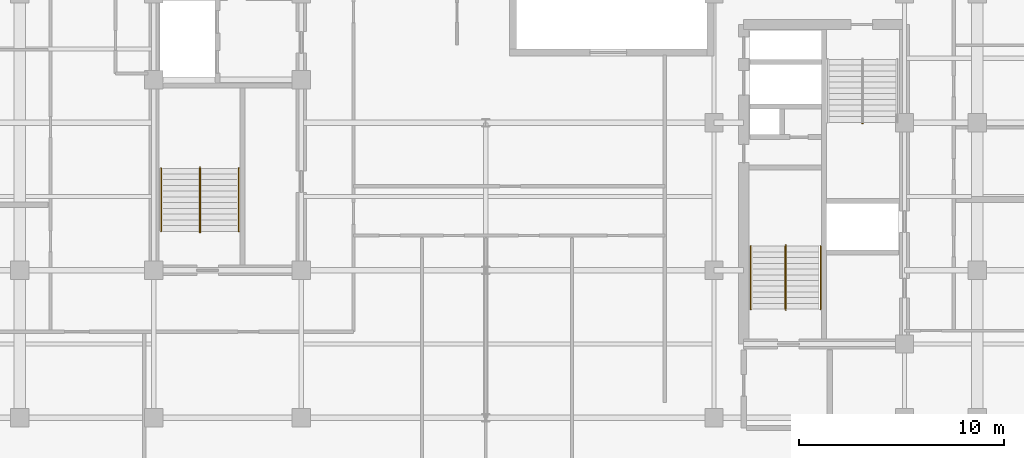
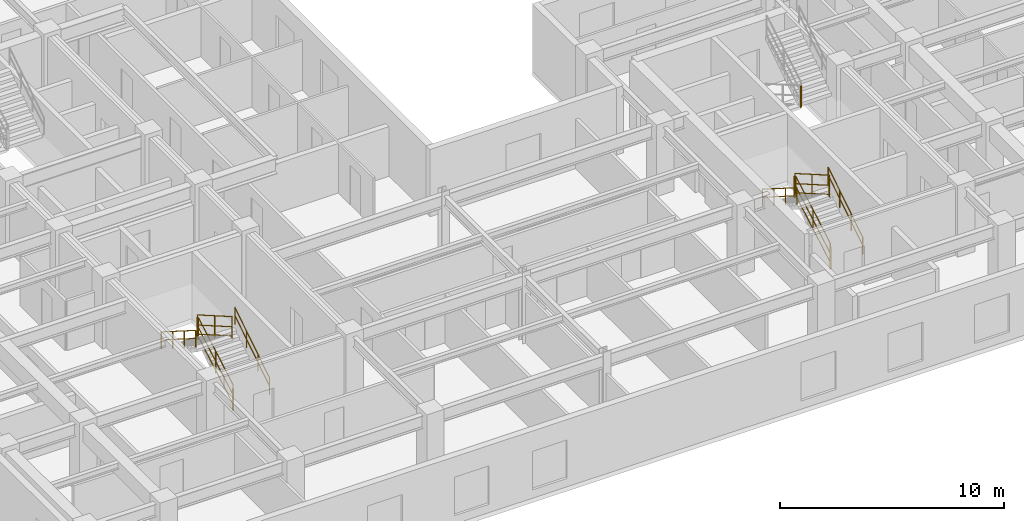
# One storey, part 9 of 11: 13 railings.
"""IFC4 building model written with IfcOpenShell, lengths in metres."""

from ifc_helpers import new_model, entity, si_unit, converted_unit, direction, frame, origin_with_axes, origin_2d_with_axis, place, context, subcontext, project, spatial, rectangle, circle, extrude, material, type_object, element, save


model = new_model("IFC4")

# Units and contexts
model_context = context("Model", 3, precision=1e-05, world=origin_with_axes(), true_north=direction((0.0, 1.0)))
body_context = subcontext(model_context, "Body", "Model", "MODEL_VIEW")
ifc_project = project(units=[si_unit("LENGTHUNIT", "METRE"), si_unit("AREAUNIT", "SQUARE_METRE"), si_unit("VOLUMEUNIT", "CUBIC_METRE"), converted_unit("PLANEANGLEUNIT", "DEGREE", entity("IfcPlaneAngleMeasure", 0.017453292519943295), si_unit("PLANEANGLEUNIT", "RADIAN"), dimensions=[0, 0, 0, 0, 0, 0, 0]), si_unit("MASSUNIT", "GRAM", prefix="KILO"), si_unit("THERMODYNAMICTEMPERATUREUNIT", "KELVIN")], contexts=[model_context])

# Site, building, storey
site_placement = place(None, origin_with_axes())
site = spatial("IfcSite", under=ifc_project, at=site_placement, CompositionType="ELEMENT")
building_placement = place(site_placement, origin_with_axes())
building = spatial("IfcBuilding", under=site, at=building_placement, Name="Varnlund Millrace Tower", CompositionType="ELEMENT")
storey_placement = place(building_placement, frame((0.0, 0.0, 200.4), z_axis=(0.0, 0.0, 1.0), x_axis=(1.0, 0.0, 0.0)))
storey = spatial("IfcBuildingStorey", under=building, at=storey_placement, Name="L49", CompositionType="ELEMENT", Elevation=200.4)

# Railings
ifc_material_1 = material(Name="Painted steel stair well balustrade guard", Category="steel")
railing_type_1 = type_object("IfcRailingType", Name="Type-StairGuard-1150", PredefinedType="GUARDRAIL", material=ifc_material_1)
railing_1_placement = place(storey_placement, frame((0.0, 0.0, -200.4), z_axis=(0.0, 0.0, 1.0), x_axis=(1.0, 0.0, 0.0)))
element("IfcRailing", 1, at=railing_1_placement, inside=storey, type_object=railing_type_1, Name="Type-StairGuard-1150", PredefinedType="GUARDRAIL", context=body_context, shape_type="SweptSolid", body=[
    extrude(circle(Radius=0.024, at=origin_2d_with_axis()), frame((13.675, 12.7, 201.727273), z_axis=(0.0, 0.866696, 0.498836), x_axis=(-1.0, 0.0, 0.0)), (0.0, 0.0, 1.0), 3.553725),
    extrude(circle(Radius=0.024, at=origin_2d_with_axis()), frame((13.675, 12.7, 200.677273), z_axis=(0.0, 0.866696, 0.498836), x_axis=(-1.0, 0.0, 0.0)), (0.0, 0.0, 1.0), 3.553725),
    extrude(circle(Radius=0.024, at=origin_2d_with_axis()), frame((13.675, 12.7, 201.175273), z_axis=(0.0, 0.866696, 0.498836), x_axis=(-1.0, 0.0, 0.0)), (0.0, 0.0, 1.0), 3.553725),
    extrude(rectangle(XDim=0.04, YDim=0.04, at=origin_2d_with_axis()), frame((13.675, 12.7, 200.537273), z_axis=(0.0, 0.0, 1.0), x_axis=(1.0, 0.0, 0.0)), (0.0, 0.0, 1.0), 1.19),
    extrude(rectangle(XDim=0.04, YDim=0.04, at=origin_2d_with_axis()), frame((13.675, 14.24, 201.423637), z_axis=(0.0, 0.0, 1.0), x_axis=(1.0, 0.0, 0.0)), (0.0, 0.0, 1.0), 1.19),
    extrude(rectangle(XDim=0.04, YDim=0.04, at=origin_2d_with_axis()), frame((13.675, 15.78, 202.31), z_axis=(0.0, 0.0, 1.0), x_axis=(1.0, 0.0, 0.0)), (0.0, 0.0, 1.0), 1.19),
])
railing_2_placement = place(storey_placement, frame((0.0, 0.0, -200.4), z_axis=(0.0, 0.0, 1.0), x_axis=(1.0, 0.0, 0.0)))
element("IfcRailing", 2, at=railing_2_placement, inside=storey, type_object=railing_type_1, Name="Type-StairGuard-1150", PredefinedType="GUARDRAIL", context=body_context, shape_type="SweptSolid", body=[
    extrude(circle(Radius=0.024, at=origin_2d_with_axis()), frame((13.625, 15.83, 203.5), z_axis=(1.0, 0.0, 0.0), x_axis=(0.0, 1.0, 0.0)), (0.0, 0.0, 1.0), 0.05),
    extrude(circle(Radius=0.024, at=origin_2d_with_axis()), frame((13.625, 15.83, 202.45), z_axis=(1.0, 0.0, 0.0), x_axis=(0.0, 1.0, 0.0)), (0.0, 0.0, 1.0), 0.05),
    extrude(circle(Radius=0.024, at=origin_2d_with_axis()), frame((13.625, 15.83, 202.948), z_axis=(1.0, 0.0, 0.0), x_axis=(0.0, 1.0, 0.0)), (0.0, 0.0, 1.0), 0.05),
    extrude(rectangle(XDim=0.04, YDim=0.04, at=origin_2d_with_axis()), frame((13.625, 15.83, 202.31), z_axis=(0.0, 0.0, 1.0), x_axis=(1.0, 0.0, 0.0)), (0.0, 0.0, 1.0), 1.19),
    extrude(rectangle(XDim=0.04, YDim=0.04, at=origin_2d_with_axis()), frame((13.675, 15.83, 202.31), z_axis=(0.0, 0.0, 1.0), x_axis=(1.0, 0.0, 0.0)), (0.0, 0.0, 1.0), 1.19),
])
railing_3_placement = place(storey_placement, frame((0.0, 0.0, -200.4), z_axis=(0.0, 0.0, 1.0), x_axis=(1.0, 0.0, 0.0)))
element("IfcRailing", 3, at=railing_3_placement, inside=storey, type_object=railing_type_1, Name="Type-StairGuard-1150", PredefinedType="GUARDRAIL", context=body_context, shape_type="SweptSolid", body=[
    extrude(circle(Radius=0.024, at=origin_2d_with_axis()), frame((13.625, 15.78, 203.677273), z_axis=(0.0, -0.866696, 0.498836), x_axis=(1.0, 0.0, 0.0)), (0.0, 0.0, 1.0), 3.553725),
    extrude(circle(Radius=0.024, at=origin_2d_with_axis()), frame((13.625, 15.78, 202.627273), z_axis=(0.0, -0.866696, 0.498836), x_axis=(1.0, 0.0, 0.0)), (0.0, 0.0, 1.0), 3.553725),
    extrude(circle(Radius=0.024, at=origin_2d_with_axis()), frame((13.625, 15.78, 203.125273), z_axis=(0.0, -0.866696, 0.498836), x_axis=(1.0, 0.0, 0.0)), (0.0, 0.0, 1.0), 3.553725),
    extrude(rectangle(XDim=0.04, YDim=0.04, at=origin_2d_with_axis()), frame((13.625, 15.78, 202.487273), z_axis=(0.0, 0.0, 1.0), x_axis=(1.0, 0.0, 0.0)), (0.0, 0.0, 1.0), 1.19),
    extrude(rectangle(XDim=0.04, YDim=0.04, at=origin_2d_with_axis()), frame((13.625, 14.24, 203.373636), z_axis=(0.0, 0.0, 1.0), x_axis=(1.0, 0.0, 0.0)), (0.0, 0.0, 1.0), 1.19),
    extrude(rectangle(XDim=0.04, YDim=0.04, at=origin_2d_with_axis()), frame((13.625, 12.7, 204.26), z_axis=(0.0, 0.0, 1.0), x_axis=(1.0, 0.0, 0.0)), (0.0, 0.0, 1.0), 1.19),
])
railing_4_placement = place(storey_placement, frame((0.0, 0.0, -200.4), z_axis=(0.0, 0.0, 1.0), x_axis=(1.0, 0.0, 0.0)))
element("IfcRailing", 4, at=railing_4_placement, inside=storey, type_object=railing_type_1, Name="Type-StairGuard-1150", PredefinedType="GUARDRAIL", context=body_context, shape_type="SweptSolid", body=[
    extrude(circle(Radius=0.024, at=origin_2d_with_axis()), frame((13.625, 12.65, 201.55), z_axis=(1.0, 0.0, 0.0), x_axis=(0.0, 1.0, 0.0)), (0.0, 0.0, 1.0), 0.05),
    extrude(circle(Radius=0.024, at=origin_2d_with_axis()), frame((13.625, 12.65, 200.5), z_axis=(1.0, 0.0, 0.0), x_axis=(0.0, 1.0, 0.0)), (0.0, 0.0, 1.0), 0.05),
    extrude(circle(Radius=0.024, at=origin_2d_with_axis()), frame((13.625, 12.65, 200.998), z_axis=(1.0, 0.0, 0.0), x_axis=(0.0, 1.0, 0.0)), (0.0, 0.0, 1.0), 0.05),
    extrude(rectangle(XDim=0.04, YDim=0.04, at=origin_2d_with_axis()), frame((13.625, 12.65, 200.36), z_axis=(0.0, 0.0, 1.0), x_axis=(1.0, 0.0, 0.0)), (0.0, 0.0, 1.0), 1.19),
    extrude(rectangle(XDim=0.04, YDim=0.04, at=origin_2d_with_axis()), frame((13.675, 12.65, 200.36), z_axis=(0.0, 0.0, 1.0), x_axis=(1.0, 0.0, 0.0)), (0.0, 0.0, 1.0), 1.19),
])
railing_5_placement = place(storey_placement, frame((0.0, 0.0, -200.4), z_axis=(0.0, 0.0, 1.0), x_axis=(1.0, 0.0, 0.0)))
element("IfcRailing", 5, at=railing_5_placement, inside=storey, type_object=railing_type_1, Name="Type-StairGuard-1150", PredefinedType="GUARDRAIL", context=body_context, shape_type="SweptSolid", body=[
    extrude(circle(Radius=0.024, at=origin_2d_with_axis()), frame((42.275, 8.9, 201.727273), z_axis=(0.0, 0.866696, 0.498836), x_axis=(-1.0, 0.0, 0.0)), (0.0, 0.0, 1.0), 3.553725),
    extrude(circle(Radius=0.024, at=origin_2d_with_axis()), frame((42.275, 8.9, 200.677273), z_axis=(0.0, 0.866696, 0.498836), x_axis=(-1.0, 0.0, 0.0)), (0.0, 0.0, 1.0), 3.553725),
    extrude(circle(Radius=0.024, at=origin_2d_with_axis()), frame((42.275, 8.9, 201.175273), z_axis=(0.0, 0.866696, 0.498836), x_axis=(-1.0, 0.0, 0.0)), (0.0, 0.0, 1.0), 3.553725),
    extrude(rectangle(XDim=0.04, YDim=0.04, at=origin_2d_with_axis()), frame((42.275, 8.9, 200.537273), z_axis=(0.0, 0.0, 1.0), x_axis=(1.0, 0.0, 0.0)), (0.0, 0.0, 1.0), 1.19),
    extrude(rectangle(XDim=0.04, YDim=0.04, at=origin_2d_with_axis()), frame((42.275, 10.44, 201.423637), z_axis=(0.0, 0.0, 1.0), x_axis=(1.0, 0.0, 0.0)), (0.0, 0.0, 1.0), 1.19),
    extrude(rectangle(XDim=0.04, YDim=0.04, at=origin_2d_with_axis()), frame((42.275, 11.98, 202.31), z_axis=(0.0, 0.0, 1.0), x_axis=(1.0, 0.0, 0.0)), (0.0, 0.0, 1.0), 1.19),
])
railing_6_placement = place(storey_placement, frame((0.0, 0.0, -200.4), z_axis=(0.0, 0.0, 1.0), x_axis=(1.0, 0.0, 0.0)))
element("IfcRailing", 6, at=railing_6_placement, inside=storey, type_object=railing_type_1, Name="Type-StairGuard-1150", PredefinedType="GUARDRAIL", context=body_context, shape_type="SweptSolid", body=[
    extrude(circle(Radius=0.024, at=origin_2d_with_axis()), frame((42.225, 12.03, 203.5), z_axis=(1.0, 0.0, 0.0), x_axis=(0.0, 1.0, 0.0)), (0.0, 0.0, 1.0), 0.05),
    extrude(circle(Radius=0.024, at=origin_2d_with_axis()), frame((42.225, 12.03, 202.45), z_axis=(1.0, 0.0, 0.0), x_axis=(0.0, 1.0, 0.0)), (0.0, 0.0, 1.0), 0.05),
    extrude(circle(Radius=0.024, at=origin_2d_with_axis()), frame((42.225, 12.03, 202.948), z_axis=(1.0, 0.0, 0.0), x_axis=(0.0, 1.0, 0.0)), (0.0, 0.0, 1.0), 0.05),
    extrude(rectangle(XDim=0.04, YDim=0.04, at=origin_2d_with_axis()), frame((42.225, 12.03, 202.31), z_axis=(0.0, 0.0, 1.0), x_axis=(1.0, 0.0, 0.0)), (0.0, 0.0, 1.0), 1.19),
    extrude(rectangle(XDim=0.04, YDim=0.04, at=origin_2d_with_axis()), frame((42.275, 12.03, 202.31), z_axis=(0.0, 0.0, 1.0), x_axis=(1.0, 0.0, 0.0)), (0.0, 0.0, 1.0), 1.19),
])
railing_7_placement = place(storey_placement, frame((0.0, 0.0, -200.4), z_axis=(0.0, 0.0, 1.0), x_axis=(1.0, 0.0, 0.0)))
element("IfcRailing", 7, at=railing_7_placement, inside=storey, type_object=railing_type_1, Name="Type-StairGuard-1150", PredefinedType="GUARDRAIL", context=body_context, shape_type="SweptSolid", body=[
    extrude(circle(Radius=0.024, at=origin_2d_with_axis()), frame((42.225, 11.98, 203.677273), z_axis=(0.0, -0.866696, 0.498836), x_axis=(1.0, 0.0, 0.0)), (0.0, 0.0, 1.0), 3.553725),
    extrude(circle(Radius=0.024, at=origin_2d_with_axis()), frame((42.225, 11.98, 202.627273), z_axis=(0.0, -0.866696, 0.498836), x_axis=(1.0, 0.0, 0.0)), (0.0, 0.0, 1.0), 3.553725),
    extrude(circle(Radius=0.024, at=origin_2d_with_axis()), frame((42.225, 11.98, 203.125273), z_axis=(0.0, -0.866696, 0.498836), x_axis=(1.0, 0.0, 0.0)), (0.0, 0.0, 1.0), 3.553725),
    extrude(rectangle(XDim=0.04, YDim=0.04, at=origin_2d_with_axis()), frame((42.225, 11.98, 202.487273), z_axis=(0.0, 0.0, 1.0), x_axis=(1.0, 0.0, 0.0)), (0.0, 0.0, 1.0), 1.19),
    extrude(rectangle(XDim=0.04, YDim=0.04, at=origin_2d_with_axis()), frame((42.225, 10.44, 203.373636), z_axis=(0.0, 0.0, 1.0), x_axis=(1.0, 0.0, 0.0)), (0.0, 0.0, 1.0), 1.19),
    extrude(rectangle(XDim=0.04, YDim=0.04, at=origin_2d_with_axis()), frame((42.225, 8.9, 204.26), z_axis=(0.0, 0.0, 1.0), x_axis=(1.0, 0.0, 0.0)), (0.0, 0.0, 1.0), 1.19),
])
railing_8_placement = place(storey_placement, frame((0.0, 0.0, -200.4), z_axis=(0.0, 0.0, 1.0), x_axis=(1.0, 0.0, 0.0)))
element("IfcRailing", 8, at=railing_8_placement, inside=storey, type_object=railing_type_1, Name="Type-StairGuard-1150", PredefinedType="GUARDRAIL", context=body_context, shape_type="SweptSolid", body=[
    extrude(circle(Radius=0.024, at=origin_2d_with_axis()), frame((42.225, 8.85, 201.55), z_axis=(1.0, 0.0, 0.0), x_axis=(0.0, 1.0, 0.0)), (0.0, 0.0, 1.0), 0.05),
    extrude(circle(Radius=0.024, at=origin_2d_with_axis()), frame((42.225, 8.85, 200.5), z_axis=(1.0, 0.0, 0.0), x_axis=(0.0, 1.0, 0.0)), (0.0, 0.0, 1.0), 0.05),
    extrude(circle(Radius=0.024, at=origin_2d_with_axis()), frame((42.225, 8.85, 200.998), z_axis=(1.0, 0.0, 0.0), x_axis=(0.0, 1.0, 0.0)), (0.0, 0.0, 1.0), 0.05),
    extrude(rectangle(XDim=0.04, YDim=0.04, at=origin_2d_with_axis()), frame((42.225, 8.85, 200.36), z_axis=(0.0, 0.0, 1.0), x_axis=(1.0, 0.0, 0.0)), (0.0, 0.0, 1.0), 1.19),
    extrude(rectangle(XDim=0.04, YDim=0.04, at=origin_2d_with_axis()), frame((42.275, 8.85, 200.36), z_axis=(0.0, 0.0, 1.0), x_axis=(1.0, 0.0, 0.0)), (0.0, 0.0, 1.0), 1.19),
])
railing_9_placement = place(storey_placement, frame((0.0, 0.0, -200.4), z_axis=(0.0, 0.0, 1.0), x_axis=(1.0, 0.0, 0.0)))
element("IfcRailing", 9, at=railing_9_placement, inside=storey, type_object=railing_type_1, Name="Type-StairGuard-1150", PredefinedType="GUARDRAIL", context=body_context, shape_type="SweptSolid", body=[
    extrude(circle(Radius=0.024, at=origin_2d_with_axis()), frame((46.025, 17.97, 203.5), z_axis=(-1.0, 0.0, 0.0), x_axis=(0.0, -1.0, 0.0)), (0.0, 0.0, 1.0), 0.05),
    extrude(circle(Radius=0.024, at=origin_2d_with_axis()), frame((46.025, 17.97, 202.45), z_axis=(-1.0, 0.0, 0.0), x_axis=(0.0, -1.0, 0.0)), (0.0, 0.0, 1.0), 0.05),
    extrude(circle(Radius=0.024, at=origin_2d_with_axis()), frame((46.025, 17.97, 202.948), z_axis=(-1.0, 0.0, 0.0), x_axis=(0.0, -1.0, 0.0)), (0.0, 0.0, 1.0), 0.05),
    extrude(rectangle(XDim=0.04, YDim=0.04, at=origin_2d_with_axis()), frame((46.025, 17.97, 202.31), z_axis=(0.0, 0.0, 1.0), x_axis=(1.0, 0.0, 0.0)), (0.0, 0.0, 1.0), 1.19),
    extrude(rectangle(XDim=0.04, YDim=0.04, at=origin_2d_with_axis()), frame((45.975, 17.97, 202.31), z_axis=(0.0, 0.0, 1.0), x_axis=(1.0, 0.0, 0.0)), (0.0, 0.0, 1.0), 1.19),
])
ifc_material_2 = material(Name="Brushed architectural bronze stair handrail", Category="aluminium")
railing_type_2 = type_object("IfcRailingType", Name="Type-StairHandrail-900", PredefinedType="HANDRAIL", material=ifc_material_2)
railing_10_placement = place(storey_placement, frame((0.0, 0.0, -200.4), z_axis=(0.0, 0.0, 1.0), x_axis=(1.0, 0.0, 0.0)))
element("IfcRailing", 10, at=railing_10_placement, inside=storey, type_object=railing_type_2, Name="Type-StairHandrail-900", PredefinedType="HANDRAIL", context=body_context, shape_type="SweptSolid", body=[
    extrude(circle(Radius=0.024, at=origin_2d_with_axis()), frame((15.55, 12.7, 201.456995), z_axis=(0.0, 0.844902, 0.534922), x_axis=(-1.0, 0.0, 0.0)), (0.0, 0.0, 1.0), 3.645394),
    extrude(circle(Radius=0.024, at=origin_2d_with_axis()), frame((15.55, 12.7, 201.017134), z_axis=(0.0, 0.844902, 0.534922), x_axis=(-1.0, 0.0, 0.0)), (0.0, 0.0, 1.0), 3.645394),
    extrude(rectangle(XDim=0.04, YDim=0.04, at=origin_2d_with_axis()), frame((15.55, 12.7, 200.537273), z_axis=(0.0, 0.0, 1.0), x_axis=(1.0, 0.0, 0.0)), (0.0, 0.0, 1.0), 0.919722),
    extrude(rectangle(XDim=0.04, YDim=0.04, at=origin_2d_with_axis()), frame((15.55, 13.726667, 201.187273), z_axis=(0.0, 0.0, 1.0), x_axis=(1.0, 0.0, 0.0)), (0.0, 0.0, 1.0), 0.919722),
    extrude(rectangle(XDim=0.04, YDim=0.04, at=origin_2d_with_axis()), frame((15.55, 14.753333, 201.837273), z_axis=(0.0, 0.0, 1.0), x_axis=(1.0, 0.0, 0.0)), (0.0, 0.0, 1.0), 0.919722),
    extrude(rectangle(XDim=0.04, YDim=0.04, at=origin_2d_with_axis()), frame((15.55, 15.78, 202.487273), z_axis=(0.0, 0.0, 1.0), x_axis=(1.0, 0.0, 0.0)), (0.0, 0.0, 1.0), 0.919722),
])
railing_11_placement = place(storey_placement, frame((0.0, 0.0, -200.4), z_axis=(0.0, 0.0, 1.0), x_axis=(1.0, 0.0, 0.0)))
element("IfcRailing", 11, at=railing_11_placement, inside=storey, type_object=railing_type_2, Name="Type-StairHandrail-900", PredefinedType="HANDRAIL", context=body_context, shape_type="SweptSolid", body=[
    extrude(circle(Radius=0.024, at=origin_2d_with_axis()), frame((11.75, 15.78, 203.406995), z_axis=(0.0, -0.844902, 0.534922), x_axis=(1.0, 0.0, 0.0)), (0.0, 0.0, 1.0), 3.645394),
    extrude(circle(Radius=0.024, at=origin_2d_with_axis()), frame((11.75, 15.78, 202.967134), z_axis=(0.0, -0.844902, 0.534922), x_axis=(1.0, 0.0, 0.0)), (0.0, 0.0, 1.0), 3.645394),
    extrude(rectangle(XDim=0.04, YDim=0.04, at=origin_2d_with_axis()), frame((11.75, 15.78, 202.487273), z_axis=(0.0, 0.0, 1.0), x_axis=(1.0, 0.0, 0.0)), (0.0, 0.0, 1.0), 0.919722),
    extrude(rectangle(XDim=0.04, YDim=0.04, at=origin_2d_with_axis()), frame((11.75, 14.753333, 203.137273), z_axis=(0.0, 0.0, 1.0), x_axis=(1.0, 0.0, 0.0)), (0.0, 0.0, 1.0), 0.919722),
    extrude(rectangle(XDim=0.04, YDim=0.04, at=origin_2d_with_axis()), frame((11.75, 13.726667, 203.787273), z_axis=(0.0, 0.0, 1.0), x_axis=(1.0, 0.0, 0.0)), (0.0, 0.0, 1.0), 0.919722),
    extrude(rectangle(XDim=0.04, YDim=0.04, at=origin_2d_with_axis()), frame((11.75, 12.7, 204.437273), z_axis=(0.0, 0.0, 1.0), x_axis=(1.0, 0.0, 0.0)), (0.0, 0.0, 1.0), 0.919722),
])
railing_12_placement = place(storey_placement, frame((0.0, 0.0, -200.4), z_axis=(0.0, 0.0, 1.0), x_axis=(1.0, 0.0, 0.0)))
element("IfcRailing", 12, at=railing_12_placement, inside=storey, type_object=railing_type_2, Name="Type-StairHandrail-900", PredefinedType="HANDRAIL", context=body_context, shape_type="SweptSolid", body=[
    extrude(circle(Radius=0.024, at=origin_2d_with_axis()), frame((43.95, 8.9, 201.456995), z_axis=(0.0, 0.844902, 0.534922), x_axis=(-1.0, 0.0, 0.0)), (0.0, 0.0, 1.0), 3.645394),
    extrude(circle(Radius=0.024, at=origin_2d_with_axis()), frame((43.95, 8.9, 201.017134), z_axis=(0.0, 0.844902, 0.534922), x_axis=(-1.0, 0.0, 0.0)), (0.0, 0.0, 1.0), 3.645394),
    extrude(rectangle(XDim=0.04, YDim=0.04, at=origin_2d_with_axis()), frame((43.95, 8.9, 200.537273), z_axis=(0.0, 0.0, 1.0), x_axis=(1.0, 0.0, 0.0)), (0.0, 0.0, 1.0), 0.919722),
    extrude(rectangle(XDim=0.04, YDim=0.04, at=origin_2d_with_axis()), frame((43.95, 9.926667, 201.187273), z_axis=(0.0, 0.0, 1.0), x_axis=(1.0, 0.0, 0.0)), (0.0, 0.0, 1.0), 0.919722),
    extrude(rectangle(XDim=0.04, YDim=0.04, at=origin_2d_with_axis()), frame((43.95, 10.953333, 201.837273), z_axis=(0.0, 0.0, 1.0), x_axis=(1.0, 0.0, 0.0)), (0.0, 0.0, 1.0), 0.919722),
    extrude(rectangle(XDim=0.04, YDim=0.04, at=origin_2d_with_axis()), frame((43.95, 11.98, 202.487273), z_axis=(0.0, 0.0, 1.0), x_axis=(1.0, 0.0, 0.0)), (0.0, 0.0, 1.0), 0.919722),
])
railing_13_placement = place(storey_placement, frame((0.0, 0.0, -200.4), z_axis=(0.0, 0.0, 1.0), x_axis=(1.0, 0.0, 0.0)))
element("IfcRailing", 13, at=railing_13_placement, inside=storey, type_object=railing_type_2, Name="Type-StairHandrail-900", PredefinedType="HANDRAIL", context=body_context, shape_type="SweptSolid", body=[
    extrude(circle(Radius=0.024, at=origin_2d_with_axis()), frame((40.55, 11.98, 203.406995), z_axis=(0.0, -0.844902, 0.534922), x_axis=(1.0, 0.0, 0.0)), (0.0, 0.0, 1.0), 3.645394),
    extrude(circle(Radius=0.024, at=origin_2d_with_axis()), frame((40.55, 11.98, 202.967134), z_axis=(0.0, -0.844902, 0.534922), x_axis=(1.0, 0.0, 0.0)), (0.0, 0.0, 1.0), 3.645394),
    extrude(rectangle(XDim=0.04, YDim=0.04, at=origin_2d_with_axis()), frame((40.55, 11.98, 202.487273), z_axis=(0.0, 0.0, 1.0), x_axis=(1.0, 0.0, 0.0)), (0.0, 0.0, 1.0), 0.919722),
    extrude(rectangle(XDim=0.04, YDim=0.04, at=origin_2d_with_axis()), frame((40.55, 10.953333, 203.137273), z_axis=(0.0, 0.0, 1.0), x_axis=(1.0, 0.0, 0.0)), (0.0, 0.0, 1.0), 0.919722),
    extrude(rectangle(XDim=0.04, YDim=0.04, at=origin_2d_with_axis()), frame((40.55, 9.926667, 203.787273), z_axis=(0.0, 0.0, 1.0), x_axis=(1.0, 0.0, 0.0)), (0.0, 0.0, 1.0), 0.919722),
    extrude(rectangle(XDim=0.04, YDim=0.04, at=origin_2d_with_axis()), frame((40.55, 8.9, 204.437273), z_axis=(0.0, 0.0, 1.0), x_axis=(1.0, 0.0, 0.0)), (0.0, 0.0, 1.0), 0.919722),
])

save(model, "model.ifc")
